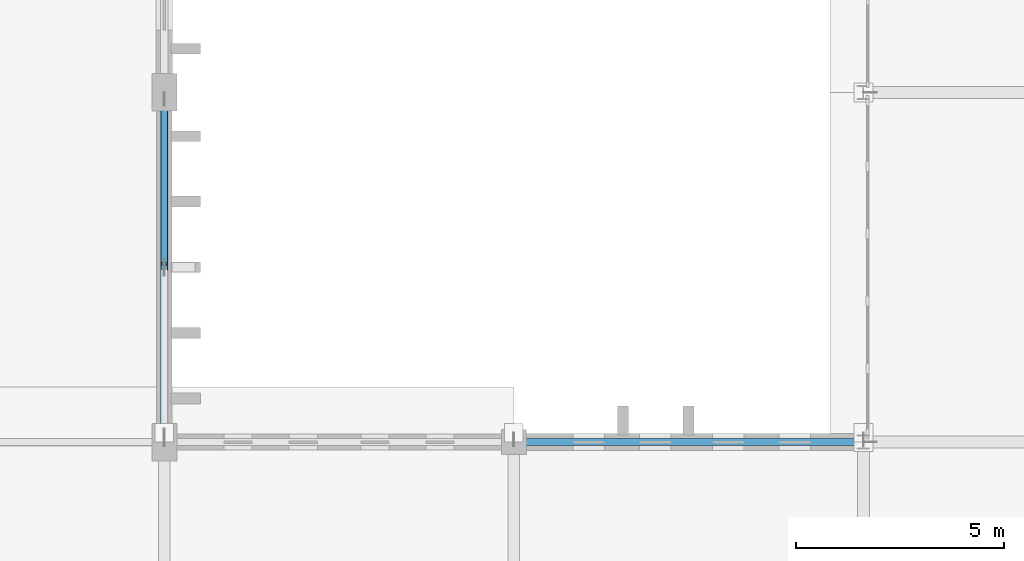
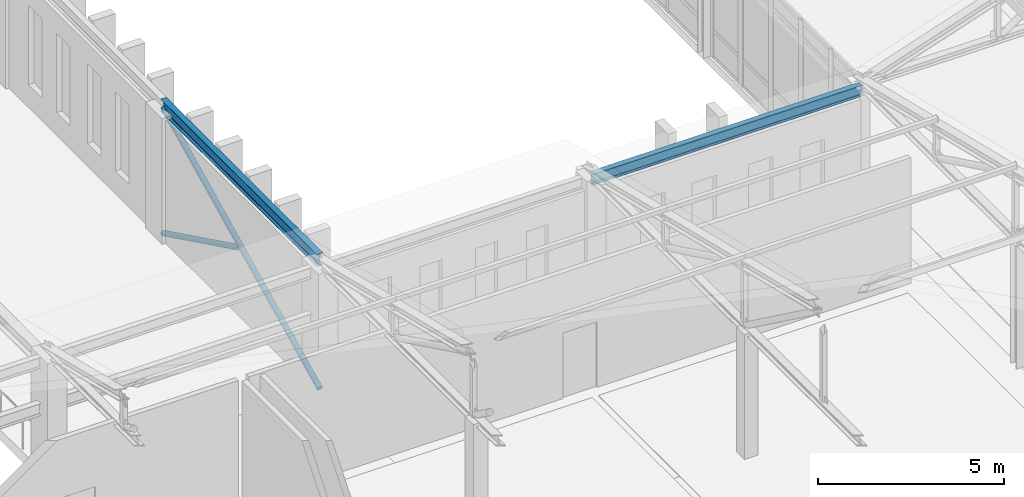
# One storey, part 37 of 192: 2 beams, 2 members.
"""IFC4 building model written with IfcOpenShell, lengths in metres."""

from ifc_helpers import new_model, si_unit, direction, frame, origin, origin_2d, place, context, subcontext, project, spatial, hollow_circle, i_section, extrude, material, material_profile, profile_set, type_object, element, save


model = new_model("IFC4")

# Units and contexts
model_context = context("Model", 3, precision=1e-05, world=origin(), true_north=direction((0.0, 1.0)))
body_context = subcontext(model_context, "Body", "Model", "MODEL_VIEW")
ifc_project = project(units=[si_unit("LENGTHUNIT", "METRE"), si_unit("AREAUNIT", "SQUARE_METRE"), si_unit("VOLUMEUNIT", "CUBIC_METRE"), si_unit("PLANEANGLEUNIT", "RADIAN"), si_unit("MASSUNIT", "GRAM", prefix="KILO")], contexts=[model_context])

# Site, building, storey
site_placement = place(None, origin())
site = spatial("IfcSite", under=ifc_project, at=site_placement, CompositionType="ELEMENT")
building_placement = place(site_placement, origin())
building = spatial("IfcBuilding", under=site, at=building_placement, Name="Kveldsbrygga Polytechnic", CompositionType="ELEMENT")
storey_placement = place(building_placement, frame((0.0, 0.0, 5.43994140625)))
storey = spatial("IfcBuildingStorey", under=building, at=storey_placement, Name="L01", CompositionType="ELEMENT", Elevation=5.43994140625)

# Beams
ifc_material = material(Name="Steel S355", Category="steel")
ifc_material_profile_1 = material_profile(ifc_material, i_section(OverallWidth=0.169921875, OverallDepth=0.360107421875, WebThickness=0.008056640625, FlangeThickness=0.0126953125, FilletRadius=0.01806640625, at=origin_2d()), Name="IPE 360")
ifc_profile_set_1 = profile_set([ifc_material_profile_1], Name="Steel S355")
beam_type_1 = type_object("IfcBeamType", Name="BM-STL-IPE360", PredefinedType="BEAM", material=ifc_profile_set_1)
beam_1_placement = place(storey_placement, frame((42.0, 25.199951171875, 3.93994140625), z_axis=(1.0, 0.0, 0.0), x_axis=(0.0, 1.0, 0.0)))
element("IfcBeam", 1, at=beam_1_placement, inside=storey, type_object=beam_type_1, Name="Pavilion Eaves Beam BMX-V5S-EAV-05", PredefinedType="BEAM", context=body_context, shape_type="SweptSolid", body=[
    extrude(i_section(OverallWidth=0.169921875, OverallDepth=0.360107421875, WebThickness=0.008056640625, FlangeThickness=0.0126953125, FilletRadius=0.01806640625, at=origin_2d()), origin(), (0.0, 0.0, 1.0), 8.39990234375),
])
ifc_material_profile_2 = material_profile(ifc_material, i_section(OverallWidth=0.179931640625, OverallDepth=0.39990234375, WebThickness=0.008544921875, FlangeThickness=0.013427734375, FilletRadius=0.02099609375, at=origin_2d()), Name="IPE 400")
ifc_profile_set_2 = profile_set([ifc_material_profile_2], Name="Steel S355")
beam_type_2 = type_object("IfcBeamType", Name="BM-STL-IPE400", PredefinedType="BEAM", material=ifc_profile_set_2)
beam_2_placement = place(storey_placement, frame((33.60009765625, 25.199951171875, 4.219970703125), z_axis=(0.0, 1.0, 0.0), x_axis=(-1.0, 0.0, 0.0)))
element("IfcBeam", 2, at=beam_2_placement, inside=storey, type_object=beam_type_2, Name="Workshop Perimeter Girt Beam BMY-V1GRT-L01-E-03", PredefinedType="BEAM", context=body_context, shape_type="SweptSolid", body=[
    extrude(i_section(OverallWidth=0.179931640625, OverallDepth=0.39990234375, WebThickness=0.008544921875, FlangeThickness=0.013427734375, FilletRadius=0.02099609375, at=origin_2d()), origin(), (0.0, 0.0, 1.0), 8.400146484375),
])

# Members
ifc_material_profile_3 = material_profile(ifc_material, hollow_circle(Radius=0.084228515625, WallThickness=0.010009765625, at=origin_2d()), Name="CHS 168.3x10.0")
ifc_profile_set_3 = profile_set([ifc_material_profile_3], Name="Steel S355")
member_type = type_object("IfcMemberType", Name="BR-WIND-CHS168", PredefinedType="BRACE", material=ifc_profile_set_3)
member_1_placement = place(storey_placement, frame((33.60009765625, 25.199951171875, 0.0), z_axis=(0.0, 0.897819388189, 0.4403638793), x_axis=(-1.0, 0.0, 0.0)))
element("IfcMember", 3, at=member_1_placement, inside=storey, type_object=member_type, Name="Workshop Portal Continuous Brace VBR-L01-E-3-A", PredefinedType="BRACE", context=body_context, shape_type="SweptSolid", body=[
    extrude(hollow_circle(Radius=0.084228515625, WallThickness=0.010009765625, at=origin_2d()), origin(), (0.0, 0.0, 1.0), 9.356201171875),
])
member_2_placement = place(storey_placement, frame((33.60009765625, 33.60009765625, 0.0), z_axis=(0.0, -0.897817196799, 0.440368347105), x_axis=(1.0, 0.0, 0.0)))
element("IfcMember", 4, at=member_2_placement, inside=storey, type_object=member_type, Name="Workshop Portal Split Brace VBR-L01-E-3-B1", PredefinedType="BRACE", context=body_context, shape_type="SweptSolid", body=[
    extrude(hollow_circle(Radius=0.084228515625, WallThickness=0.010009765625, at=origin_2d()), origin(), (0.0, 0.0, 1.0), 4.588134765625),
])

save(model, "model.ifc")
